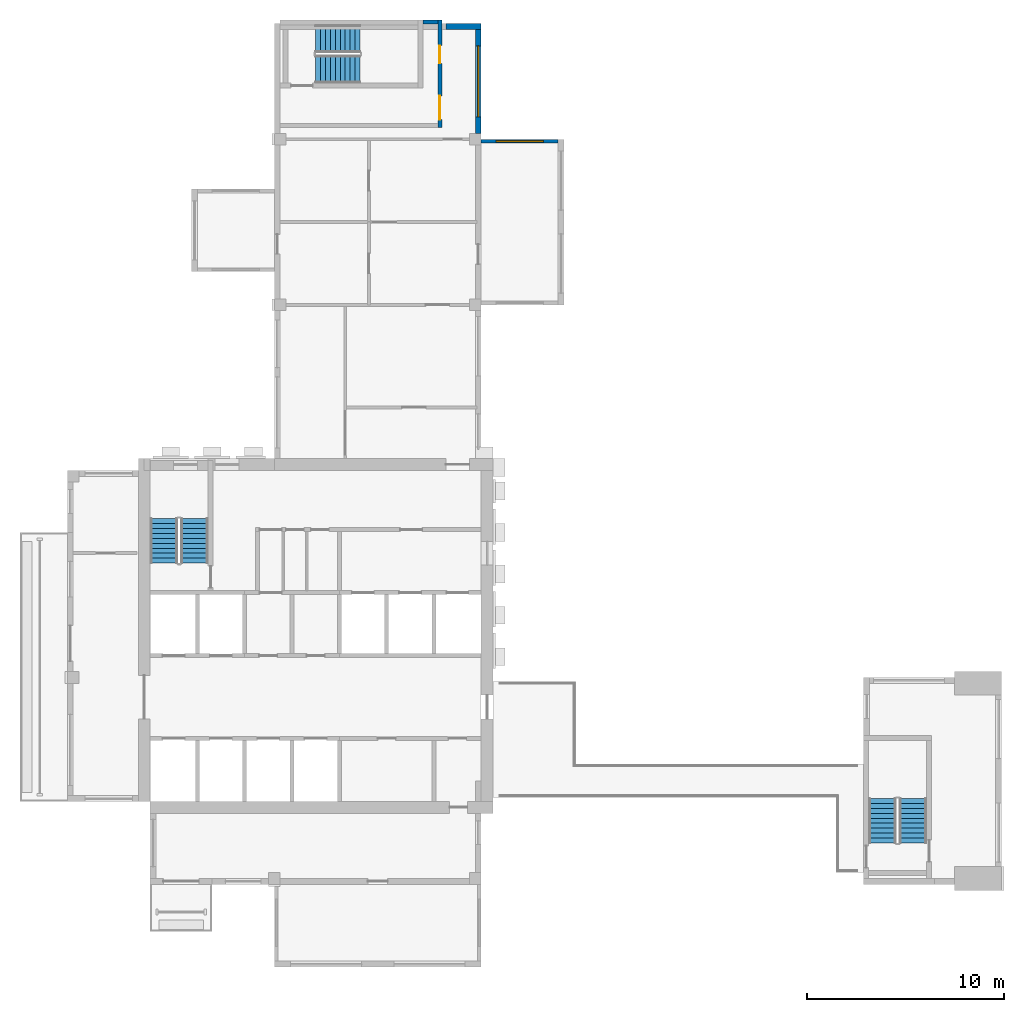
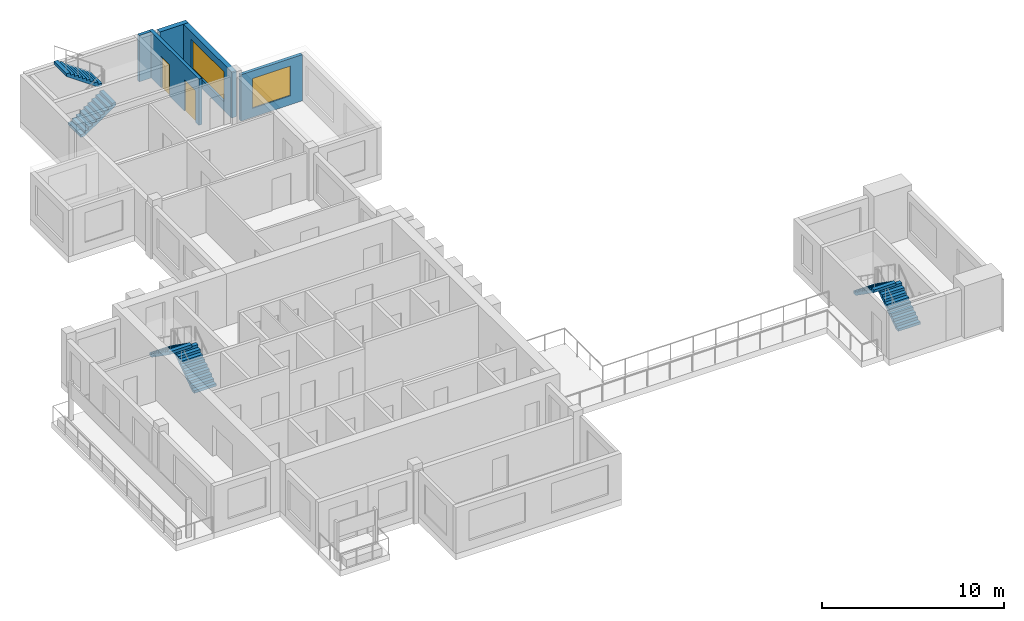
# One storey, part 5 of 9: 6 stair flights, 5 walls, 2 doors, 2 windows, 4 openings, 3 elements without a shape of their own.
"""IFC4 building model written with IfcOpenShell, lengths in metres."""

from ifc_helpers import new_model, si_unit, direction, frame, frame_2d, origin, place, context, subcontext, project, spatial, polyline, rectangle, outline, extrude, source, transform, mapped, material, layer, layer_set, type_object, element, fill, aggregate, save


model = new_model("IFC4")

# Units and contexts
model_context = context("Model", 3, precision=1e-05, world=origin(), true_north=direction((0.0, 1.0)))
body_context = subcontext(model_context, "Body", "Model", "MODEL_VIEW")
ifc_project = project(units=[si_unit("LENGTHUNIT", "METRE"), si_unit("AREAUNIT", "SQUARE_METRE"), si_unit("VOLUMEUNIT", "CUBIC_METRE"), si_unit("PLANEANGLEUNIT", "RADIAN"), si_unit("MASSUNIT", "GRAM", prefix="KILO")], contexts=[model_context])

# Site, building, storey
site_placement = place(None, origin())
site = spatial("IfcSite", under=ifc_project, at=site_placement, CompositionType="ELEMENT")
building_placement = place(site_placement, origin())
building = spatial("IfcBuilding", under=site, at=building_placement, Name="Aurelian Terraces", CompositionType="ELEMENT")
storey_placement = place(building_placement, frame((0.0, 0.0, 333.5)))
storey = spatial("IfcBuildingStorey", under=building, at=storey_placement, Name="L78", CompositionType="ELEMENT", Elevation=333.5)

# Wall, opening, window
ifc_material_1 = material(Name="Concrete fc' 40 MPa", Category="concrete")
ifc_layer_1 = layer(ifc_material_1, 0.2)
ifc_layer_set_1 = layer_set([ifc_layer_1], Name="BOX BEARING WALL 200")
wall_type_1 = type_object("IfcWallType", Name="BOX BEARING WALL 200", PredefinedType="SOLIDWALL", material=ifc_layer_set_1)
shared_shape_1 = source(origin(), body_context, "Body", "SweptSolid", [
    extrude(rectangle(XDim=3.9, YDim=0.2, at=frame_2d((1.95, 0.0))), origin(), (0.0, 0.0, 1.0), 3.1),
])
wall_1_placement = place(storey_placement, frame((21.0, 37.7, 0.0), z_axis=(0.0, 0.0, 1.0), x_axis=(1.0, 0.0, 0.0)))
wall_1 = element("IfcWall", 1, at=wall_1_placement, inside=storey, type_object=wall_type_1, Name="Box return L78 J91.2", PredefinedType="SOLIDWALL", context=body_context, shape_type="MappedRepresentation", body=[
    mapped(shared_shape_1, transform((0.0, 0.0, 0.0), scale=1.0)),
])
shared_shape_2 = source(origin(), body_context, "Body", "SweptSolid", [
    extrude(rectangle(XDim=2.4, YDim=2.0, at=frame_2d((1.2, 1.0))), frame((0.0, 0.11, 0.0), z_axis=(0.0, -1.0, 0.0), x_axis=(1.0, 0.0, 0.0)), (0.0, 0.0, 1.0), 0.22),
])
opening_1_placement = place(wall_1_placement, frame((0.75, 0.0, 0.6)))
opening_1 = element("IfcOpeningElement", 2, at=opening_1_placement, cuts=wall_1, Name="Opening W2420", PredefinedType="OPENING", context=body_context, shape_type="MappedRepresentation", body=[
    mapped(shared_shape_2, transform((0.0, 0.0, 0.0), scale=1.0)),
])
ifc_material_2 = material(Name="Clear glazing", Category="glass")
window_type_1 = type_object("IfcWindowType", Name="W-2400x2000", PartitioningType="SINGLE_PANEL", PredefinedType="WINDOW", material=ifc_material_2)
shared_shape_3 = source(origin(), body_context, "Body", "SweptSolid", [
    extrude(rectangle(XDim=2.4, YDim=2.0, at=frame_2d((1.2, 1.0))), frame((0.0, 0.03, 0.0), z_axis=(0.0, -1.0, 0.0), x_axis=(1.0, 0.0, 0.0)), (0.0, 0.0, 1.0), 0.06),
])
window_1_placement = place(opening_1_placement, origin())
window_1 = element("IfcWindow", 3, at=window_1_placement, inside=storey, type_object=window_type_1, Name="Window L78 J91-S2", OverallHeight=2.0, OverallWidth=2.4, PartitioningType="SINGLE_PANEL", PredefinedType="WINDOW", context=body_context, shape_type="MappedRepresentation", body=[
    mapped(shared_shape_3, transform((0.0, 0.0, 0.0), scale=1.0)),
])
fill(opening_1, window_1)

# Wall
ifc_material_3 = material(Name="Terracotta rainscreen cladding", Category="masonry")
ifc_layer_2 = layer(ifc_material_3, 0.3)
ifc_layer_set_2 = layer_set([ifc_layer_2], Name="EW-300")
wall_type_2 = type_object("IfcWallType", Name="EW-300", PredefinedType="STANDARD", material=ifc_layer_set_2)
shared_shape_4 = source(origin(), body_context, "Body", "SweptSolid", [
    extrude(rectangle(XDim=1.8, YDim=0.3, at=frame_2d((0.9, 0.0))), origin(), (0.0, 0.0, 1.0), 3.1),
])
wall_2_placement = place(storey_placement, frame((21.0, 43.53, 0.0), z_axis=(0.0, 0.0, 1.0), x_axis=(-1.0, 0.0, 0.0)))
element("IfcWall", 4, at=wall_2_placement, inside=storey, type_object=wall_type_2, Name="External wall L78 F03.10", PredefinedType="STANDARD", context=body_context, shape_type="MappedRepresentation", body=[
    mapped(shared_shape_4, transform((0.0, 0.0, 0.0), scale=1.0)),
])

# Wall, opening, window
shared_shape_5 = source(origin(), body_context, "Body", "SweptSolid", [
    extrude(rectangle(XDim=5.58, YDim=0.3, at=frame_2d((2.79, 0.0))), origin(), (0.0, 0.0, 1.0), 3.1),
])
wall_3_placement = place(storey_placement, frame((20.85, 38.1, 0.0), z_axis=(0.0, 0.0, 1.0), x_axis=(0.0, 1.0, 0.0)))
wall_3 = element("IfcWall", 5, at=wall_3_placement, inside=storey, type_object=wall_type_2, Name="External wall L78 F02.9", PredefinedType="STANDARD", context=body_context, shape_type="MappedRepresentation", body=[
    mapped(shared_shape_5, transform((0.0, 0.0, 0.0), scale=1.0)),
])
shared_shape_6 = source(origin(), body_context, "Body", "SweptSolid", [
    extrude(rectangle(XDim=3.6, YDim=2.0, at=frame_2d((1.8, 1.0))), frame((0.0, 0.16, 0.0), z_axis=(0.0, -1.0, 0.0), x_axis=(1.0, 0.0, 0.0)), (0.0, 0.0, 1.0), 0.32),
])
opening_2_placement = place(wall_3_placement, frame((0.84, 0.0, 0.6)))
opening_2 = element("IfcOpeningElement", 6, at=opening_2_placement, cuts=wall_3, Name="Opening W3620", PredefinedType="OPENING", context=body_context, shape_type="MappedRepresentation", body=[
    mapped(shared_shape_6, transform((0.0, 0.0, 0.0), scale=1.0)),
])
window_type_2 = type_object("IfcWindowType", Name="W-3600x2000", PartitioningType="SINGLE_PANEL", PredefinedType="WINDOW", material=ifc_material_2)
shared_shape_7 = source(origin(), body_context, "Body", "SweptSolid", [
    extrude(rectangle(XDim=3.6, YDim=2.0, at=frame_2d((1.8, 1.0))), frame((0.0, 0.03, 0.0), z_axis=(0.0, -1.0, 0.0), x_axis=(1.0, 0.0, 0.0)), (0.0, 0.0, 1.0), 0.06),
])
window_2_placement = place(opening_2_placement, origin())
window_2 = element("IfcWindow", 7, at=window_2_placement, inside=storey, type_object=window_type_2, Name="Window L78 L78-F02-09-0", OverallHeight=2.0, OverallWidth=3.6, PartitioningType="SINGLE_PANEL", PredefinedType="WINDOW", context=body_context, shape_type="MappedRepresentation", body=[
    mapped(shared_shape_7, transform((0.0, 0.0, 0.0), scale=1.0)),
])
fill(opening_2, window_2)

# Wall, openings, doors
ifc_material_4 = material(Name="Gypsum board on steel studs", Category="steel")
ifc_layer_3 = layer(ifc_material_4, 0.2)
ifc_layer_set_3 = layer_set([ifc_layer_3], Name="Core partition 200")
wall_type_3 = type_object("IfcWallType", Name="Core partition 200", PredefinedType="PARTITIONING", material=ifc_layer_set_3)
shared_shape_8 = source(origin(), body_context, "Body", "SweptSolid", [
    extrude(rectangle(XDim=5.45, YDim=0.2, at=frame_2d((2.725, 0.0))), origin(), (0.0, 0.0, 1.0), 3.1),
])
wall_4_placement = place(storey_placement, frame((18.9, 38.4, 0.0), z_axis=(0.0, 0.0, 1.0), x_axis=(0.0, 1.0, 0.0)))
wall_4 = element("IfcWall", 8, at=wall_4_placement, inside=storey, type_object=wall_type_3, Name="L78 core wall ST-S3U-BN", PredefinedType="PARTITIONING", context=body_context, shape_type="MappedRepresentation", body=[
    mapped(shared_shape_8, transform((0.0, 0.0, 0.0), scale=1.0)),
])
shared_shape_9 = source(origin(), body_context, "Body", "SweptSolid", [
    extrude(rectangle(XDim=1.2, YDim=2.1, at=frame_2d((0.6, 1.05))), frame((0.0, 0.11, 0.0), z_axis=(0.0, -1.0, 0.0), x_axis=(1.0, 0.0, 0.0)), (0.0, 0.0, 1.0), 0.22),
])
opening_3_placement = place(wall_4_placement, frame((0.4, 0.0, 0.0)))
opening_3 = element("IfcOpeningElement", 9, at=opening_3_placement, cuts=wall_4, Name="Opening 68122", PredefinedType="OPENING", context=body_context, shape_type="MappedRepresentation", body=[
    mapped(shared_shape_9, transform((0.0, 0.0, 0.0), scale=1.0)),
])
shared_shape_10 = source(origin(), body_context, "Body", "SweptSolid", [
    extrude(rectangle(XDim=0.9, YDim=2.1, at=frame_2d((0.45, 1.05))), frame((0.0, 0.11, 0.0), z_axis=(0.0, -1.0, 0.0), x_axis=(1.0, 0.0, 0.0)), (0.0, 0.0, 1.0), 0.22),
])
opening_4_placement = place(wall_4_placement, frame((3.25, 0.0, 0.0)))
opening_4 = element("IfcOpeningElement", 10, at=opening_4_placement, cuts=wall_4, Name="Opening 68123", PredefinedType="OPENING", context=body_context, shape_type="MappedRepresentation", body=[
    mapped(shared_shape_10, transform((0.0, 0.0, 0.0), scale=1.0)),
])
ifc_material_5 = material(Name="Steel door leaf", Category="steel")
door_type_1 = type_object("IfcDoorType", Name="Core riser door 900x2100", OperationType="SINGLE_SWING_LEFT", PredefinedType="DOOR", material=ifc_material_5)
shared_shape_11 = source(origin(), body_context, "Body", "SweptSolid", [
    extrude(rectangle(XDim=0.9, YDim=2.1, at=frame_2d((0.45, 1.05))), frame((0.0, 0.025, 0.0), z_axis=(0.0, -1.0, 0.0), x_axis=(1.0, 0.0, 0.0)), (0.0, 0.0, 1.0), 0.05),
])
door_1_placement = place(opening_4_placement, origin())
door_1 = element("IfcDoor", 11, at=door_1_placement, inside=storey, type_object=door_type_1, Name="Riser door 68123", OperationType="SINGLE_SWING_LEFT", OverallHeight=2.1, OverallWidth=0.9, PredefinedType="DOOR", context=body_context, shape_type="MappedRepresentation", body=[
    mapped(shared_shape_11, transform((0.0, 0.0, 0.0), scale=1.0)),
])
fill(opening_4, door_1)
door_type_2 = type_object("IfcDoorType", Name="Core fire door 1200x2100 right", OperationType="SINGLE_SWING_RIGHT", PredefinedType="DOOR", material=ifc_material_5)
shared_shape_12 = source(origin(), body_context, "Body", "SweptSolid", [
    extrude(rectangle(XDim=1.2, YDim=2.1, at=frame_2d((0.6, 1.05))), frame((0.0, 0.025, 0.0), z_axis=(0.0, -1.0, 0.0), x_axis=(1.0, 0.0, 0.0)), (0.0, 0.0, 1.0), 0.05),
])
door_2_placement = place(opening_3_placement, origin())
door_2 = element("IfcDoor", 12, at=door_2_placement, inside=storey, type_object=door_type_2, Name="Vestibule door 68122", OperationType="SINGLE_SWING_RIGHT", OverallHeight=2.1, OverallWidth=1.2, PredefinedType="DOOR", context=body_context, shape_type="MappedRepresentation", body=[
    mapped(shared_shape_12, transform((0.0, 0.0, 0.0), scale=1.0)),
])
fill(opening_3, door_2)

# Wall
shared_shape_13 = source(origin(), body_context, "Body", "SweptSolid", [
    extrude(rectangle(XDim=0.75, YDim=0.2, at=frame_2d((0.375, 0.0))), origin(), (0.0, 0.0, 1.0), 3.1),
])
wall_5_placement = place(storey_placement, frame((18.05, 43.75, 0.0), z_axis=(0.0, 0.0, 1.0), x_axis=(1.0, 0.0, 0.0)))
element("IfcWall", 13, at=wall_5_placement, inside=storey, type_object=wall_type_3, Name="L78 core wall ST-S3U-RE", PredefinedType="PARTITIONING", context=body_context, shape_type="MappedRepresentation", body=[
    mapped(shared_shape_13, transform((0.0, 0.0, 0.0), scale=1.0)),
])

# Stair, stair flights
stair_type = type_object("IfcStairType", Name="Stair 1400", PredefinedType="HALF_TURN_STAIR", material=ifc_material_1)
stair_1_placement = place(storey_placement, origin())
stair_1 = element("IfcStair", 14, at=stair_1_placement, inside=storey, type_object=stair_type, Name="L78 S1", PredefinedType="HALF_TURN_STAIR")
stair_flight_type = type_object("IfcStairFlightType", Name="Stair flight 1400", PredefinedType="STRAIGHT", material=ifc_material_1)
shared_shape_14 = source(origin(), body_context, "Body", "SweptSolid", [
    extrude(outline(polyline([(0.0, 0.0), (0.0, 0.175), (0.25, 0.175), (0.25, 0.35), (0.5, 0.35), (0.5, 0.525), (0.75, 0.525), (0.75, 0.7), (1.0, 0.7), (1.0, 0.875), (1.25, 0.875), (1.25, 1.05), (1.5, 1.05), (1.5, 1.225), (1.75, 1.225), (1.75, 1.4), (2.0, 1.4), (2.0, 1.575), (2.25, 1.575), (2.25, 1.75), (2.25, 1.3919), (0.2616, 0.0), (0.0, 0.0)])), frame((0.0, 0.7, 0.0), z_axis=(0.0, -1.0, 0.0), x_axis=(1.0, 0.0, 0.0)), (0.0, 0.0, 1.0), 1.4),
])
stair_flight_1_placement = place(storey_placement, frame((6.45, 16.3, 2e-08), z_axis=(0.0, 0.0, 1.0), x_axis=(0.0, 1.0, 0.0)))
stair_flight_1 = element("IfcStairFlight", 15, at=stair_flight_1_placement, type_object=stair_flight_type, Name="S1 flight 1", NumberOfRisers=10, NumberOfTreads=9, PredefinedType="STRAIGHT", RiserHeight=0.175, TreadLength=0.25, context=body_context, shape_type="MappedRepresentation", body=[
    mapped(shared_shape_14, transform((0.0, 0.0, 0.0), scale=1.0)),
])
stair_flight_2_placement = place(storey_placement, frame((4.9, 18.55, 1.75000002), z_axis=(0.0, 0.0, 1.0), x_axis=(0.0, -1.0, 0.0)))
stair_flight_2 = element("IfcStairFlight", 16, at=stair_flight_2_placement, type_object=stair_flight_type, Name="S1 flight 2", NumberOfRisers=10, NumberOfTreads=9, PredefinedType="STRAIGHT", RiserHeight=0.175, TreadLength=0.25, context=body_context, shape_type="MappedRepresentation", body=[
    mapped(shared_shape_14, transform((0.0, 0.0, 0.0), scale=1.0)),
])
aggregate(stair_1, [stair_flight_1, stair_flight_2])

stair_2_placement = place(storey_placement, origin())
stair_2 = element("IfcStair", 17, at=stair_2_placement, inside=storey, type_object=stair_type, Name="L78 S2", PredefinedType="HALF_TURN_STAIR")
stair_flight_3_placement = place(storey_placement, frame((42.9, 2.1, 2e-08), z_axis=(0.0, 0.0, 1.0), x_axis=(0.0, 1.0, 0.0)))
stair_flight_3 = element("IfcStairFlight", 18, at=stair_flight_3_placement, type_object=stair_flight_type, Name="S2 flight 1", NumberOfRisers=10, NumberOfTreads=9, PredefinedType="STRAIGHT", RiserHeight=0.175, TreadLength=0.25, context=body_context, shape_type="MappedRepresentation", body=[
    mapped(shared_shape_14, transform((0.0, 0.0, 0.0), scale=1.0)),
])
stair_flight_4_placement = place(storey_placement, frame((41.35, 4.35, 1.75000002), z_axis=(0.0, 0.0, 1.0), x_axis=(0.0, -1.0, 0.0)))
stair_flight_4 = element("IfcStairFlight", 19, at=stair_flight_4_placement, type_object=stair_flight_type, Name="S2 flight 2", NumberOfRisers=10, NumberOfTreads=9, PredefinedType="STRAIGHT", RiserHeight=0.175, TreadLength=0.25, context=body_context, shape_type="MappedRepresentation", body=[
    mapped(shared_shape_14, transform((0.0, 0.0, 0.0), scale=1.0)),
])
aggregate(stair_2, [stair_flight_3, stair_flight_4])

stair_3_placement = place(storey_placement, origin())
stair_3 = element("IfcStair", 20, at=stair_3_placement, inside=storey, type_object=stair_type, Name="L78 S3U", PredefinedType="HALF_TURN_STAIR")
stair_flight_5_placement = place(storey_placement, frame((12.6, 41.35, 2e-08), z_axis=(0.0, 0.0, 1.0), x_axis=(1.0, 0.0, 0.0)))
stair_flight_5 = element("IfcStairFlight", 21, at=stair_flight_5_placement, type_object=stair_flight_type, Name="S3U flight 1", NumberOfRisers=10, NumberOfTreads=9, PredefinedType="STRAIGHT", RiserHeight=0.175, TreadLength=0.25, context=body_context, shape_type="MappedRepresentation", body=[
    mapped(shared_shape_14, transform((0.0, 0.0, 0.0), scale=1.0)),
])
stair_flight_6_placement = place(storey_placement, frame((14.85, 42.9, 1.75000002), z_axis=(0.0, 0.0, 1.0), x_axis=(-1.0, 0.0, 0.0)))
stair_flight_6 = element("IfcStairFlight", 22, at=stair_flight_6_placement, type_object=stair_flight_type, Name="S3U flight 2", NumberOfRisers=10, NumberOfTreads=9, PredefinedType="STRAIGHT", RiserHeight=0.175, TreadLength=0.25, context=body_context, shape_type="MappedRepresentation", body=[
    mapped(shared_shape_14, transform((0.0, 0.0, 0.0), scale=1.0)),
])
aggregate(stair_3, [stair_flight_5, stair_flight_6])

save(model, "model.ifc")
